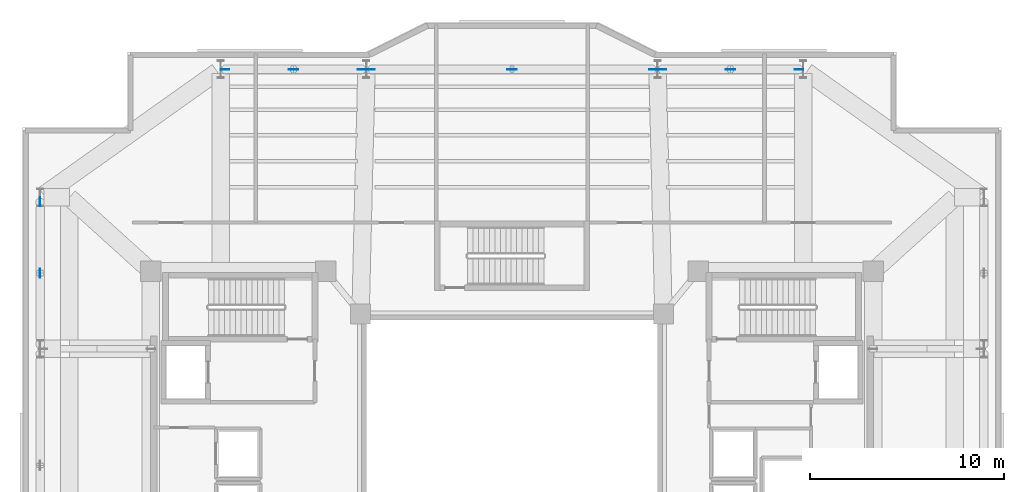
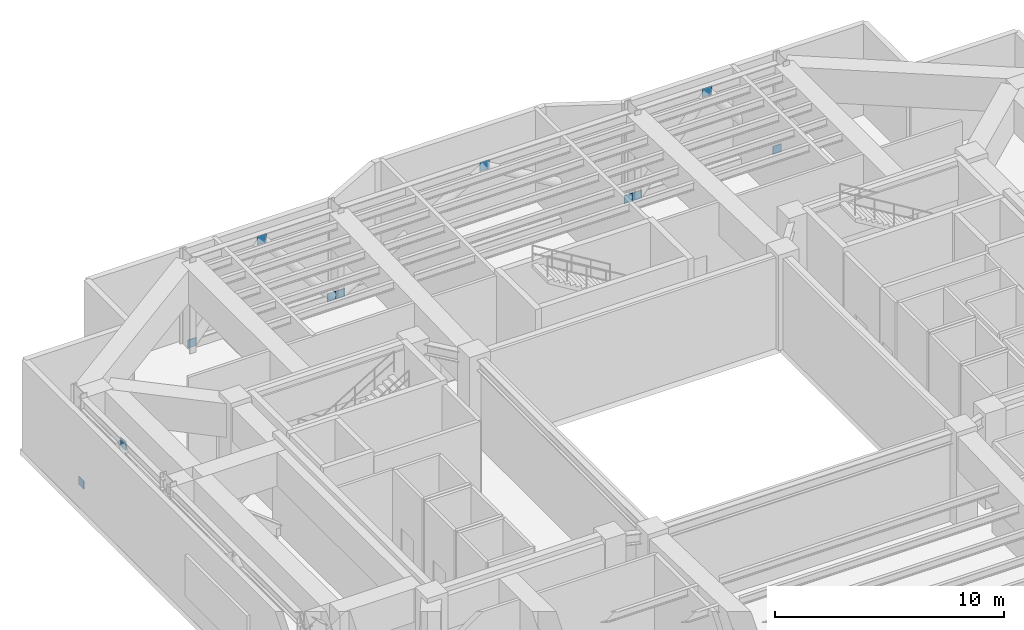
# One storey, part 6 of 13: 11 plates.
"""IFC4 building model written with IfcOpenShell, lengths in metres."""

import ifcopenshell
import ifcopenshell.guid

model = None  # the IFC model being written
_history = None  # IfcOwnerHistory: only IFC2X3 demands one
_inside = {}  # id of a spatial element -> (the spatial element, [elements in it])
_under = {}  # id of a project, library or spatial element -> (it, [spatial elements below it])
_declared = {}  # id of a project -> (the project, [libraries it declares])
_typed = {}  # id of a type object -> (the type object, [elements of that type])
_made_of = {}  # id of a material, layer set ... -> (it, [elements and type objects made of it])


def new_model(schema):
    """Start an empty IFC model of exactly this schema.

    Asked for "IFC4X3", IfcOpenShell would pick the latest addendum, in which some entities
    have other attributes; the version numbers below select the first issue.
    IFC2X3 requires an IfcOwnerHistory on every rooted entity: one is made here for all.
    """
    global model, _history
    if schema == "IFC4X3":
        model = ifcopenshell.file(schema_version=(4, 3, 0, 0))
    else:
        model = ifcopenshell.file(schema=schema)
    _inside.clear()
    _under.clear()
    _declared.clear()
    _typed.clear()
    _made_of.clear()
    _history = None
    if model.schema == "IFC2X3":
        org = make("IfcOrganization", Name="unknown")
        user = make(
            "IfcPersonAndOrganization",
            ThePerson=make("IfcPerson", FamilyName="unknown"),
            TheOrganization=org,
        )
        app = make(
            "IfcApplication",
            ApplicationDeveloper=org,
            Version="unknown",
            ApplicationFullName="unknown",
            ApplicationIdentifier="unknown",
        )
        _history = make(
            "IfcOwnerHistory",
            OwningUser=user,
            OwningApplication=app,
            ChangeAction="ADDED",
            CreationDate=0,
        )
    return model


def make(cls, **values):
    """One entity of the class cls with the attributes given. An attribute that is None is left unset."""
    return model.create_entity(
        cls, **{name: value for name, value in values.items() if value is not None}
    )


def rooted(cls, **values):
    """An entity with a GlobalId (a new one), such as an element, a storey or a relation."""
    return make(cls, GlobalId=ifcopenshell.guid.new(), OwnerHistory=_history, **values)


def si_unit(unit_type, name, prefix=None):
    """IfcSIUnit, for example si_unit("LENGTHUNIT", "METRE", prefix="MILLI")."""
    return make("IfcSIUnit", UnitType=unit_type, Prefix=prefix, Name=name)


def assignment(units):
    """IfcUnitAssignment: the units of a project."""
    return None if units is None else make("IfcUnitAssignment", Units=units)


def point(xyz):
    """IfcCartesianPoint."""
    return None if xyz is None else make("IfcCartesianPoint", Coordinates=xyz)


def direction(xyz):
    """IfcDirection."""
    return None if xyz is None else make("IfcDirection", DirectionRatios=xyz)


def frame(location, z_axis=None, x_axis=None):
    """IfcAxis2Placement3D, a coordinate frame: its origin and axes. An axis left out is left unset."""
    return make(
        "IfcAxis2Placement3D",
        Location=point(location),
        Axis=direction(z_axis),
        RefDirection=direction(x_axis),
    )


def frame_2d(location, x_axis=None):
    """IfcAxis2Placement2D, a coordinate frame in the plane: its origin and x axis."""
    return make(
        "IfcAxis2Placement2D", Location=point(location), RefDirection=direction(x_axis)
    )


def origin():
    """The frame at (0, 0, 0) with its axes left unset."""
    return frame((0.0, 0.0, 0.0))


def origin_2d():
    """The frame at (0, 0) in the plane with its x axis left unset."""
    return frame_2d((0.0, 0.0))


def place(relative_to, where):
    """IfcLocalPlacement: puts the frame where relative to a parent placement (None: the world)."""
    return make(
        "IfcLocalPlacement", PlacementRelTo=relative_to, RelativePlacement=where
    )


def context(
    kind, dimensions, precision=None, world=None, true_north=None, identifier=None
):
    """IfcGeometricRepresentationContext, for example the 3D "Model" context."""
    return make(
        "IfcGeometricRepresentationContext",
        ContextIdentifier=identifier,
        ContextType=kind,
        CoordinateSpaceDimension=dimensions,
        Precision=precision,
        WorldCoordinateSystem=world,
        TrueNorth=true_north,
    )


def subcontext(parent, identifier, kind, view, scale=None):
    """IfcGeometricRepresentationSubContext, for example "Body" below "Model"."""
    return make(
        "IfcGeometricRepresentationSubContext",
        ContextIdentifier=identifier,
        ContextType=kind,
        ParentContext=parent,
        TargetScale=scale,
        TargetView=view,
    )


def project(units=None, contexts=None):
    """IfcProject with its units and contexts."""
    return rooted(
        "IfcProject",
        Name="project",
        RepresentationContexts=contexts,
        UnitsInContext=assignment(units),
    )


def spatial(cls, under=None, at=None, **own):
    """A site, building, storey or space (cls), placed at a placement, below another one or the project."""
    s = rooted(cls, ObjectPlacement=at, **own)
    if under is not None:
        _under.setdefault(under.id(), (under, []))[1].append(s)
    return s


def profile(cls, at=None, kind="AREA", **sizes):
    """A parametric profile (cls). Its sizes go by their IFC names, for example OverallWidth=200.0."""
    return make(cls, ProfileType=kind, Position=at, **sizes)


def rectangle(**sizes):
    """IfcRectangleProfileDef."""
    return profile("IfcRectangleProfileDef", **sizes)


def extrude(swept, where, along, depth):
    """IfcExtrudedAreaSolid: the profile swept, set in the frame where, extruded along a direction by depth."""
    return make(
        "IfcExtrudedAreaSolid",
        SweptArea=swept,
        Position=where,
        ExtrudedDirection=direction(along),
        Depth=depth,
    )


def shape(context_of_items, identifier, shape_type, items):
    """IfcShapeRepresentation: the items that make up one representation, for example the "Body"."""
    return make(
        "IfcShapeRepresentation",
        ContextOfItems=context_of_items,
        RepresentationIdentifier=identifier,
        RepresentationType=shape_type,
        Items=items,
    )


def material(Name=None, Category=None):
    """IfcMaterial."""
    return make("IfcMaterial", Name=Name, Category=Category)


def layer(
    of_material, thickness, ventilated=None, Name=None, Category=None, Priority=None
):
    """IfcMaterialLayer: one layer of a wall or slab, of a material (None: an air gap)."""
    return make(
        "IfcMaterialLayer",
        Material=of_material,
        LayerThickness=thickness,
        IsVentilated=ventilated,
        Name=Name,
        Category=Category,
        Priority=Priority,
    )


def layer_set(layers, Name=None):
    """IfcMaterialLayerSet."""
    return make("IfcMaterialLayerSet", MaterialLayers=layers, LayerSetName=Name)


def made_of(thing, what):
    """Note that an element or type object is made of a material, layer set ...; save() writes the relation."""
    if what is not None:
        _made_of.setdefault(what.id(), (what, []))[1].append(thing)
    return thing


def type_object(cls, material=None, **own):
    """A type object (cls), such as IfcWallType, which elements share."""
    return made_of(rooted(cls, **own), material)


def element(
    cls,
    number,
    at=None,
    inside=None,
    cuts=None,
    type_object=None,
    material=None,
    context=None,
    identifier="Body",
    shape_type=None,
    held_by="IfcProductDefinitionShape",
    body=None,
    shapes=None,
    **own,
):
    """One element of the class cls, such as IfcWall. Its Tag is "e" and its number.

    at: its placement. inside: the storey or other place that contains it. cuts: it is an
    opening in that element (IfcRelVoidsElement). A single representation is given by context,
    identifier, shape_type and body (its items); several are given by shapes. held_by: the class
    of the entity that holds the representations. save() writes the other relations.
    """
    e = rooted(cls, Tag="e%d" % number, ObjectPlacement=at, **own)
    if body is not None:
        shapes = [shape(context, identifier, shape_type, body)]
    if shapes is not None:
        e.Representation = make(held_by, Representations=shapes)
    if inside is not None:
        _inside.setdefault(inside.id(), (inside, []))[1].append(e)
    if cuts is not None:
        rooted(
            "IfcRelVoidsElement", RelatingBuildingElement=cuts, RelatedOpeningElement=e
        )
    if type_object is not None:
        _typed.setdefault(type_object.id(), (type_object, []))[1].append(e)
    return made_of(e, material)


def aggregate(whole, parts):
    """IfcRelAggregates: a whole, such as a stair, and the parts it consists of."""
    return rooted("IfcRelAggregates", RelatingObject=whole, RelatedObjects=parts)


def save(model, path):
    """Write the relations noted so far, then the file.

    IfcRelAggregates (storeys below a building ...), IfcRelContainedInSpatialStructure (elements
    in a storey), IfcRelDefinesByType, IfcRelAssociatesMaterial and IfcRelDeclares: one each for
    every whole, place, type object, material and project.
    """
    for whole, parts in _under.values():
        aggregate(whole, parts)
    for where, things in _inside.values():
        rooted(
            "IfcRelContainedInSpatialStructure",
            RelatedElements=things,
            RelatingStructure=where,
        )
    for kind, things in _typed.values():
        rooted("IfcRelDefinesByType", RelatedObjects=things, RelatingType=kind)
    for what, things in _made_of.values():
        rooted("IfcRelAssociatesMaterial", RelatedObjects=things, RelatingMaterial=what)
    for by, libraries in _declared.values():
        rooted("IfcRelDeclares", RelatingContext=by, RelatedDefinitions=libraries)
    model.write(path)


model = new_model("IFC4")

# Units and contexts
model_context = context("Model", 3, precision=1e-05, world=origin(), true_north=direction((0.0, 1.0)))
body_context = subcontext(model_context, "Body", "Model", "MODEL_VIEW")
ifc_project = project(units=[si_unit("LENGTHUNIT", "METRE"), si_unit("AREAUNIT", "SQUARE_METRE"), si_unit("VOLUMEUNIT", "CUBIC_METRE"), si_unit("PLANEANGLEUNIT", "RADIAN"), si_unit("MASSUNIT", "GRAM", prefix="KILO")], contexts=[model_context])

# Site, building, storey
site_placement = place(None, origin())
site = spatial("IfcSite", under=ifc_project, at=site_placement, CompositionType="ELEMENT")
building_placement = place(site_placement, origin())
building = spatial("IfcBuilding", under=site, at=building_placement, Name="Tarnavaz Court Tower", CompositionType="ELEMENT")
storey_placement = place(building_placement, frame((0.0, 0.0, 181.800048828125)))
storey = spatial("IfcBuildingStorey", under=building, at=storey_placement, Name="L49", CompositionType="ELEMENT", Elevation=181.800048828125)

# Plates
ifc_material = material(Name="Steel S355", Category="steel")
ifc_layer = layer(ifc_material, 0.030029296875)
ifc_layer_set = layer_set([ifc_layer], Name="Steel S355")
plate_type = type_object("IfcPlateType", Name="PL-GUSSET-30", PredefinedType="USERDEFINED", material=ifc_layer_set)
for number, where, z_axis, x_axis, name in (
    (1, (-11.25, 20.39990234375, 4.260009765625), (0.0, 0.0, 1.0), (1.0, 0.0, 0.0), "L49 Belt Truss Apex Gusset & End-Cap Plate 01"),
    (2, (0.0, 20.39990234375, 4.260009765625), (0.0, 0.0, 1.0), (1.0, 0.0, 0.0), "L49 Belt Truss Apex Gusset & End-Cap Plate 02"),
    (3, (11.25, 20.39990234375, 4.260009765625), (0.0, 0.0, 1.0), (1.0, 0.0, 0.0), "L49 Belt Truss Apex Gusset & End-Cap Plate 03"),
    (4, (-24.300048828125, 9.89990234375, 4.260009765625), (0.0, 0.0, 1.0), (0.0, 1.0, 0.0), "L49 Belt Truss Apex Gusset & End-Cap Plate 12"),
):
    element("IfcPlate", number, at=place(storey_placement, frame(where, z_axis=z_axis, x_axis=x_axis)), inside=storey, type_object=plate_type, Name=name, ObjectType="GUSSET PLATE", PredefinedType="USERDEFINED", context=body_context, shape_type="SweptSolid", body=[
        extrude(rectangle(XDim=0.47998046875, YDim=0.030029296875, at=origin_2d()), origin(), (0.0, 0.0, 1.0), 0.47998046875),
    ])
for number, where, z_axis, x_axis, name in (
    (5, (-14.780029296875, 20.39990234375, -0.02001953125), (0.0, 0.0, 1.0), (1.0, 0.0, 0.0), "L49 Structural Brace & Strut End Gusset Plate 073"),
    (6, (-7.719970703125, 20.39990234375, -0.02001953125), (0.0, 0.0, 1.0), (1.0, 0.0, 0.0), "L49 Structural Brace & Strut End Gusset Plate 074"),
    (7, (-7.280029296875, 20.39990234375, -0.02001953125), (0.0, 0.0, 1.0), (1.0, 0.0, 0.0), "L49 Structural Brace & Strut End Gusset Plate 075"),
    (8, (7.280029296875, 20.39990234375, -0.02001953125), (0.0, 0.0, 1.0), (1.0, 0.0, 0.0), "L49 Structural Brace & Strut End Gusset Plate 076"),
    (9, (7.719970703125, 20.39990234375, -0.02001953125), (0.0, 0.0, 1.0), (1.0, 0.0, 0.0), "L49 Structural Brace & Strut End Gusset Plate 077"),
    (10, (14.780029296875, 20.39990234375, -0.02001953125), (0.0, 0.0, 1.0), (1.0, 0.0, 0.0), "L49 Structural Brace & Strut End Gusset Plate 078"),
    (11, (-24.300048828125, 13.580078125, -0.02001953125), (0.0, 0.0, 1.0), (0.0, 1.0, 0.0), "L49 Structural Brace & Strut End Gusset Plate 096"),
):
    element("IfcPlate", number, at=place(storey_placement, frame(where, z_axis=z_axis, x_axis=x_axis)), inside=storey, type_object=plate_type, Name=name, ObjectType="GUSSET PLATE", PredefinedType="USERDEFINED", context=body_context, shape_type="SweptSolid", body=[
        extrude(rectangle(XDim=0.43994140625, YDim=0.030029296875, at=origin_2d()), origin(), (0.0, 0.0, 1.0), 0.43994140625),
    ])

save(model, "model.ifc")
